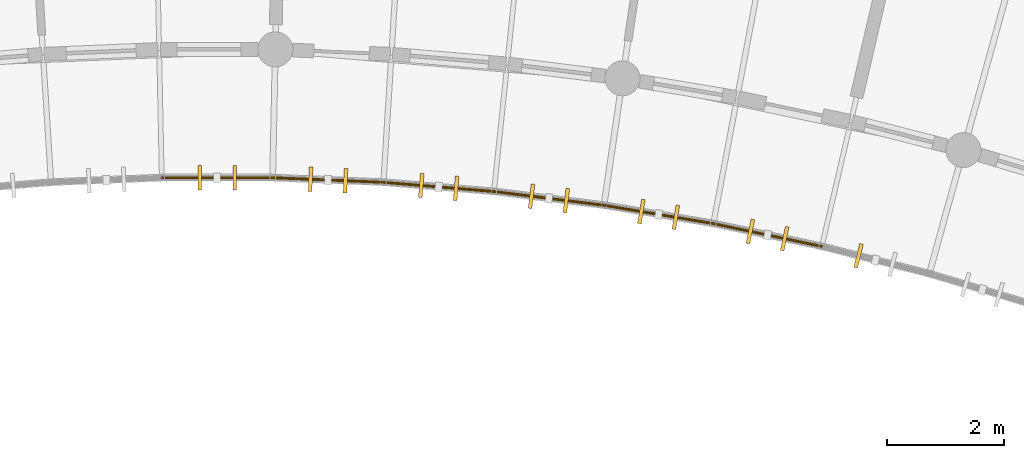
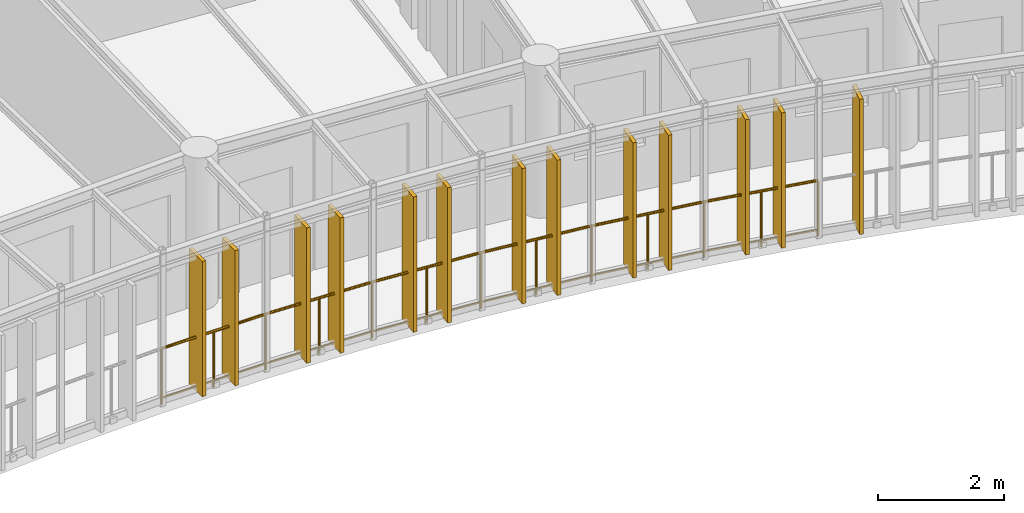
# One storey, part 96 of 100: 13 shading devices, 6 railings.
"""IFC4 building model written with IfcOpenShell, lengths in metres."""

from ifc_helpers import new_model, si_unit, direction, frame, origin, origin_2d, place, context, subcontext, project, spatial, rectangle, circle, extrude, material, layer, layer_set, type_object, element, save


model = new_model("IFC4")

# Units and contexts
model_context = context("Model", 3, precision=1e-05, world=origin(), true_north=direction((0.0, 1.0)))
body_context = subcontext(model_context, "Body", "Model", "MODEL_VIEW")
ifc_project = project(units=[si_unit("LENGTHUNIT", "METRE"), si_unit("AREAUNIT", "SQUARE_METRE"), si_unit("VOLUMEUNIT", "CUBIC_METRE"), si_unit("PLANEANGLEUNIT", "RADIAN"), si_unit("MASSUNIT", "GRAM", prefix="KILO"), si_unit("POWERUNIT", "WATT"), si_unit("THERMODYNAMICTEMPERATUREUNIT", "KELVIN")], contexts=[model_context])

# Site, building, storey
site_placement = place(None, origin())
site = spatial("IfcSite", under=ifc_project, at=site_placement, CompositionType="ELEMENT")
building_placement = place(site_placement, origin())
building = spatial("IfcBuilding", under=site, at=building_placement, Name="Ruvembo Vaulted Housing Court", CompositionType="ELEMENT")
storey_placement = place(building_placement, frame((0.0, 0.0, 14.10009765625)))
storey = spatial("IfcBuildingStorey", under=building, at=storey_placement, Name="L04", CompositionType="ELEMENT", Elevation=14.10009765625)

# Railings
ifc_material_1 = material(Name="Galvanised Painted Steel S275", Category="steel")
ifc_layer = layer(ifc_material_1, 0.06005859375, Name="Galvanised Painted Steel S275")
ifc_layer_set = layer_set([ifc_layer], Name="Galvanised Painted Steel S275")
railing_type = type_object("IfcRailingType", Name="RL-GUARD-1100", PredefinedType="GUARDRAIL", material=ifc_layer_set)
railing_1_placement = place(storey_placement, frame((116.049560546875, 95.7900390625, 0.0)))
element("IfcRailing", 1, at=railing_1_placement, inside=storey, type_object=railing_type, Name="L04 Perimeter Guard RL-EXT-L04-0731", PredefinedType="GUARDRAIL", context=body_context, shape_type="SweptSolid", body=[
    extrude(circle(Radius=0.02392578125, at=origin_2d()), frame((0.0, 0.0, 1.076171875), z_axis=(1.0, 0.0, 0.0), x_axis=(0.0, 1.0, 0.0)), (0.0, 0.0, 1.0), 1.90087890625),
    extrude(circle(Radius=0.01806640625, at=origin_2d()), frame((0.0, 0.0, 0.1201171875), z_axis=(1.0, 0.0, 0.0), x_axis=(0.0, 1.0, 0.0)), (0.0, 0.0, 1.0), 1.90087890625),
    extrude(circle(Radius=0.02099609375, at=origin_2d()), origin(), (0.0, 0.0, 1.0), 1.052001953125),
    extrude(circle(Radius=0.02099609375, at=origin_2d()), frame((0.950439453125, 0.0, 0.0)), (0.0, 0.0, 1.0), 1.052001953125),
    extrude(circle(Radius=0.02099609375, at=origin_2d()), frame((1.90087890625, 0.0, 0.0)), (0.0, 0.0, 1.0), 1.052001953125),
])
railing_2_placement = place(storey_placement, frame((117.950439453125, 95.7900390625, 0.0)))
element("IfcRailing", 2, at=railing_2_placement, inside=storey, type_object=railing_type, Name="L04 Perimeter Guard RL-EXT-L04-0732", PredefinedType="GUARDRAIL", context=body_context, shape_type="SweptSolid", body=[
    extrude(circle(Radius=0.02392578125, at=origin_2d()), frame((0.0, 0.0, 1.076171875), z_axis=(0.999139293915, -0.041480975827, 0.0), x_axis=(0.041480975827, 0.999139293915, 0.0)), (0.0, 0.0, 1.0), 1.901123046875),
    extrude(circle(Radius=0.01806640625, at=origin_2d()), frame((0.0, 0.0, 0.1201171875), z_axis=(0.999139293915, -0.041480975827, 0.0), x_axis=(0.041480975827, 0.999139293915, 0.0)), (0.0, 0.0, 1.0), 1.901123046875),
    extrude(circle(Radius=0.02099609375, at=origin_2d()), origin(), (0.0, 0.0, 1.0), 1.052001953125),
    extrude(circle(Radius=0.02099609375, at=origin_2d()), frame((0.94970703125, -0.03955078125, 0.0)), (0.0, 0.0, 1.0), 1.052001953125),
    extrude(circle(Radius=0.02099609375, at=origin_2d()), frame((1.8994140625, -0.078857421875, 0.0)), (0.0, 0.0, 1.0), 1.052001953125),
])
railing_3_placement = place(storey_placement, frame((119.849853515625, 95.711181640625, 0.0)))
element("IfcRailing", 3, at=railing_3_placement, inside=storey, type_object=railing_type, Name="L04 Perimeter Guard RL-EXT-L04-0733", PredefinedType="GUARDRAIL", context=body_context, shape_type="SweptSolid", body=[
    extrude(circle(Radius=0.02392578125, at=origin_2d()), frame((0.0, 0.0, 1.076171875), z_axis=(0.99656344911, -0.082832915551, 0.0), x_axis=(0.082832915551, 0.99656344911, 0.0)), (0.0, 0.0, 1.0), 1.901123046875),
    extrude(circle(Radius=0.01806640625, at=origin_2d()), frame((0.0, 0.0, 0.1201171875), z_axis=(0.99656344911, -0.082832915551, 0.0), x_axis=(0.082832915551, 0.99656344911, 0.0)), (0.0, 0.0, 1.0), 1.901123046875),
    extrude(circle(Radius=0.02099609375, at=origin_2d()), origin(), (0.0, 0.0, 1.0), 1.052001953125),
    extrude(circle(Radius=0.02099609375, at=origin_2d()), frame((0.947265625, -0.07861328125, 0.0)), (0.0, 0.0, 1.0), 1.052001953125),
    extrude(circle(Radius=0.02099609375, at=origin_2d()), frame((1.89453125, -0.157470703125, 0.0)), (0.0, 0.0, 1.0), 1.052001953125),
])
railing_4_placement = place(storey_placement, frame((121.744384765625, 95.5537109375, 0.0)))
element("IfcRailing", 4, at=railing_4_placement, inside=storey, type_object=railing_type, Name="L04 Perimeter Guard RL-EXT-L04-0734", PredefinedType="GUARDRAIL", context=body_context, shape_type="SweptSolid", body=[
    extrude(circle(Radius=0.02392578125, at=origin_2d()), frame((0.0, 0.0, 1.076171875), z_axis=(0.992244255502, -0.124303408739, 0.0), x_axis=(0.124303408739, 0.992244255502, 0.0)), (0.0, 0.0, 1.0), 1.901123046875),
    extrude(circle(Radius=0.01806640625, at=origin_2d()), frame((0.0, 0.0, 0.1201171875), z_axis=(0.992244255502, -0.124303408739, 0.0), x_axis=(0.124303408739, 0.992244255502, 0.0)), (0.0, 0.0, 1.0), 1.901123046875),
    extrude(circle(Radius=0.02099609375, at=origin_2d()), origin(), (0.0, 0.0, 1.0), 1.052001953125),
    extrude(circle(Radius=0.02099609375, at=origin_2d()), frame((0.943359375, -0.1181640625, 0.0)), (0.0, 0.0, 1.0), 1.052001953125),
    extrude(circle(Radius=0.02099609375, at=origin_2d()), frame((1.886474609375, -0.236328125, 0.0)), (0.0, 0.0, 1.0), 1.052001953125),
])
railing_5_placement = place(storey_placement, frame((123.630859375, 95.3173828125, 0.0)))
element("IfcRailing", 5, at=railing_5_placement, inside=storey, type_object=railing_type, Name="L04 Perimeter Guard RL-EXT-L04-0735", PredefinedType="GUARDRAIL", context=body_context, shape_type="SweptSolid", body=[
    extrude(circle(Radius=0.02392578125, at=origin_2d()), frame((0.0, 0.0, 1.076171875), z_axis=(0.986265186139, -0.165169557153, 0.0), x_axis=(0.165169557153, 0.986265186139, 0.0)), (0.0, 0.0, 1.0), 1.90087890625),
    extrude(circle(Radius=0.01806640625, at=origin_2d()), frame((0.0, 0.0, 0.1201171875), z_axis=(0.986265186139, -0.165169557153, 0.0), x_axis=(0.165169557153, 0.986265186139, 0.0)), (0.0, 0.0, 1.0), 1.90087890625),
    extrude(circle(Radius=0.02099609375, at=origin_2d()), origin(), (0.0, 0.0, 1.0), 1.052001953125),
    extrude(circle(Radius=0.02099609375, at=origin_2d()), frame((0.9375, -0.156982421875, 0.0)), (0.0, 0.0, 1.0), 1.052001953125),
    extrude(circle(Radius=0.02099609375, at=origin_2d()), frame((1.874755859375, -0.31396484375, 0.0)), (0.0, 0.0, 1.0), 1.052001953125),
])
railing_6_placement = place(storey_placement, frame((125.505615234375, 95.00341796875, 0.0)))
element("IfcRailing", 6, at=railing_6_placement, inside=storey, type_object=railing_type, Name="L04 Perimeter Guard RL-EXT-L04-0736", PredefinedType="GUARDRAIL", context=body_context, shape_type="SweptSolid", body=[
    extrude(circle(Radius=0.02392578125, at=origin_2d()), frame((0.0, 0.0, 1.076171875), z_axis=(0.978529342624, -0.206107558387, 0.0), x_axis=(0.206107558387, 0.978529342624, 0.0)), (0.0, 0.0, 1.0), 1.901123046875),
    extrude(circle(Radius=0.01806640625, at=origin_2d()), frame((0.0, 0.0, 0.1201171875), z_axis=(0.978529342624, -0.206107558387, 0.0), x_axis=(0.206107558387, 0.978529342624, 0.0)), (0.0, 0.0, 1.0), 1.901123046875),
    extrude(circle(Radius=0.02099609375, at=origin_2d()), origin(), (0.0, 0.0, 1.0), 1.052001953125),
    extrude(circle(Radius=0.02099609375, at=origin_2d()), frame((0.93017578125, -0.19580078125, 0.0)), (0.0, 0.0, 1.0), 1.052001953125),
    extrude(circle(Radius=0.02099609375, at=origin_2d()), frame((1.8603515625, -0.391845703125, 0.0)), (0.0, 0.0, 1.0), 1.052001953125),
])

# Shading devices
ifc_material_2 = material(Name="Kiln-Fired Terracotta Extrusion", Category="masonry")
shading_device_type = type_object("IfcShadingDeviceType", Name="SHD-FIN-420", PredefinedType="USERDEFINED", material=ifc_material_2)
for number, where, z_axis, x_axis, name in (
    (7, (116.699951171875, 95.7900390625, 0.0498046875), (0.0, 0.0, 1.0), (0.0, -1.0, 0.0), "Terracotta Brise-Soleil Fin #673"),
    (8, (117.300048828125, 95.7900390625, 0.0498046875), (0.0, 0.0, 1.0), (0.0, -1.0, 0.0), "Terracotta Brise-Soleil Fin #674"),
    (9, (118.6005859375, 95.76318359375, 0.0498046875), (0.0, 0.0, 1.0), (-0.041509453281, -0.999138111218, 0.0), "Terracotta Brise-Soleil Fin #675"),
    (10, (119.199951171875, 95.73828125, 0.0498046875), (0.0, 0.0, 1.0), (-0.041509453281, -0.999138111218, 0.0), "Terracotta Brise-Soleil Fin #676"),
    (11, (120.498291015625, 95.6572265625, 0.0498046875), (0.0, 0.0, 1.0), (-0.082895173943, -0.996558272324, 0.0), "Terracotta Brise-Soleil Fin #677"),
    (12, (121.09619140625, 95.607421875, 0.0498046875), (0.0, 0.0, 1.0), (-0.082895173943, -0.996558272324, 0.0), "Terracotta Brise-Soleil Fin #678"),
    (13, (122.389892578125, 95.472900390625, 0.0498046875), (0.0, 0.0, 1.0), (-0.12419031657, -0.992258416578, 0.0), "Terracotta Brise-Soleil Fin #679"),
    (14, (122.9853515625, 95.398193359375, 0.0498046875), (0.0, 0.0, 1.0), (-0.12419031657, -0.992258416578, 0.0), "Terracotta Brise-Soleil Fin #680"),
    (15, (124.2724609375, 95.2099609375, 0.0498046875), (0.0, 0.0, 1.0), (-0.165271382715, -0.986248128037, 0.0), "Terracotta Brise-Soleil Fin #681"),
    (16, (124.864013671875, 95.11083984375, 0.0498046875), (0.0, 0.0, 1.0), (-0.165271382715, -0.986248128037, 0.0), "Terracotta Brise-Soleil Fin #682"),
    (17, (126.14208984375, 94.869140625, 0.0498046875), (0.0, 0.0, 1.0), (-0.206101715045, -0.978530573388, 0.0), "Terracotta Brise-Soleil Fin #683"),
    (18, (126.7294921875, 94.74560546875, 0.0498046875), (0.0, 0.0, 1.0), (-0.206101715045, -0.978530573388, 0.0), "Terracotta Brise-Soleil Fin #684"),
    (19, (127.996337890625, 94.451171875, 0.0498046875), (0.0, 0.0, 1.0), (-0.246491603437, -0.969144926951, 0.0), "Terracotta Brise-Soleil Fin #685"),
):
    element("IfcShadingDevice", number, at=place(storey_placement, frame(where, z_axis=z_axis, x_axis=x_axis)), inside=storey, type_object=shading_device_type, Name=name, ObjectType="FIN", PredefinedType="USERDEFINED", context=body_context, shape_type="SweptSolid", body=[
        extrude(rectangle(XDim=0.419921875, YDim=0.06494140625, at=origin_2d()), origin(), (0.0, 0.0, 1.0), 2.613037109375),
    ])

save(model, "model.ifc")
